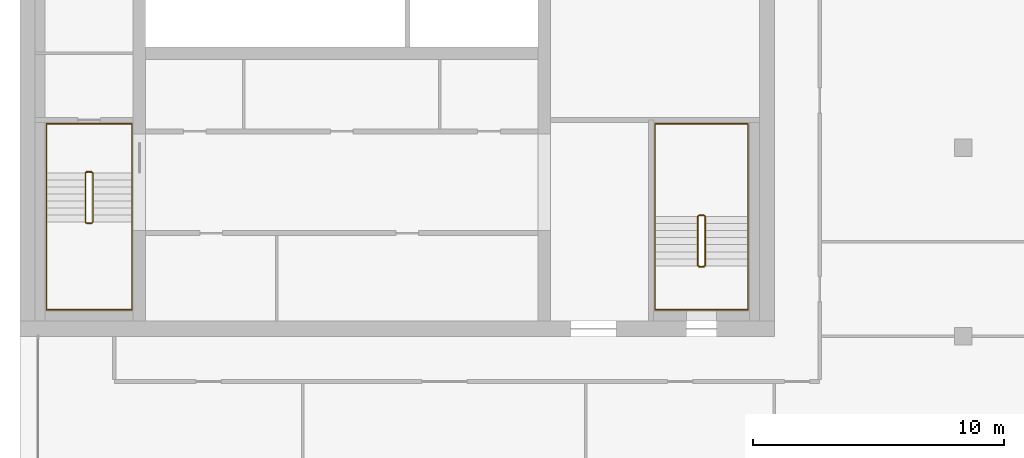
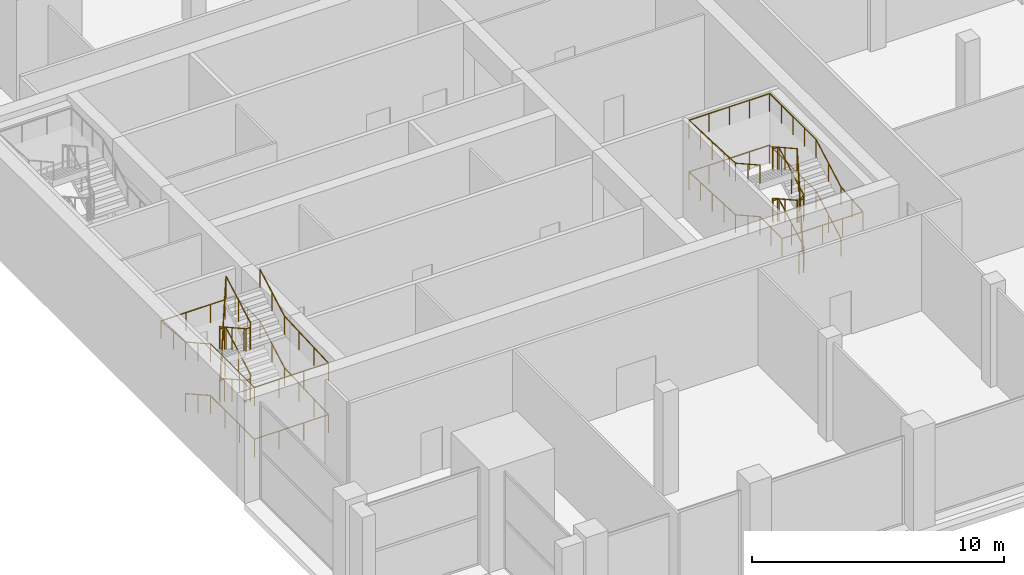
# One storey, part 14 of 15: 4 railings.
"""IFC4 building model written with IfcOpenShell, lengths in metres."""

from ifc_helpers import new_model, si_unit, direction, frame, origin, origin_2d, place, context, subcontext, project, spatial, circle, extrude, material, type_object, element, save


model = new_model("IFC4")

# Units and contexts
model_context = context("Model", 3, precision=1e-05, world=origin(), true_north=direction((0.0, 1.0)))
body_context = subcontext(model_context, "Body", "Model", "MODEL_VIEW")
ifc_project = project(units=[si_unit("LENGTHUNIT", "METRE"), si_unit("AREAUNIT", "SQUARE_METRE"), si_unit("VOLUMEUNIT", "CUBIC_METRE"), si_unit("PLANEANGLEUNIT", "RADIAN"), si_unit("MASSUNIT", "GRAM", prefix="KILO")], contexts=[model_context])

# Site, building, storey
site_placement = place(None, origin())
site = spatial("IfcSite", under=ifc_project, at=site_placement, CompositionType="ELEMENT")
building_placement = place(site_placement, origin())
building = spatial("IfcBuilding", under=site, at=building_placement, Name="Tamorin Gate", CompositionType="ELEMENT")
storey_placement = place(building_placement, frame((0.0, 0.0, 297.699951171875)))
storey = spatial("IfcBuildingStorey", under=building, at=storey_placement, Name="L74", CompositionType="ELEMENT", Elevation=297.699951171875)

# Railings
ifc_material_1 = material(Name="Painted steel balustrade", Category="steel")
railing_type_1 = type_object("IfcRailingType", Name="Stair guard 1100", PredefinedType="GUARDRAIL", material=ifc_material_1)
railing_1_placement = place(storey_placement, frame((32.60009765625, 66.5, 0.15625)))
element("IfcRailing", 1, at=railing_1_placement, inside=storey, type_object=railing_type_1, Name="L74 ST1 stair guard 1", PredefinedType="GUARDRAIL", context=body_context, shape_type="SweptSolid", body=[
    extrude(circle(Radius=0.02392578125, at=origin_2d()), frame((0.0, 0.0, 1.076171875), z_axis=(0.0, -0.873232148454, 0.487304437602), x_axis=(1.0, 0.0, 0.0)), (0.0, 0.0, 1.0), 2.244384765625),
    extrude(circle(Radius=0.02392578125, at=origin_2d()), frame((0.0, -1.9599609375, 2.169921875), z_axis=(0.705375805398, -0.708833529934, 0.0), x_axis=(0.708833529934, 0.705375805398, 0.0)), (0.0, 0.0, 1.0), 0.070556640625),
    extrude(circle(Radius=0.02392578125, at=origin_2d()), frame((0.0498046875, -2.010009765625, 2.169921875), z_axis=(1.0, 0.0, 0.0), x_axis=(0.0, 1.0, 0.0)), (0.0, 0.0, 1.0), 0.2001953125),
    extrude(circle(Radius=0.02392578125, at=origin_2d()), frame((0.25, -2.010009765625, 2.169921875), z_axis=(0.290469530425, 0.291893400672, 0.911276958196), x_axis=(-0.708833529934, 0.705375805398, 0.0)), (0.0, 0.0, 1.0), 0.17138671875),
    extrude(circle(Radius=0.02392578125, at=origin_2d()), frame((0.2998046875, -1.9599609375, 2.326171875), z_axis=(0.0, 0.873232148454, 0.487304437602), x_axis=(-1.0, 0.0, 0.0)), (0.0, 0.0, 1.0), 2.244384765625),
    extrude(circle(Radius=0.02392578125, at=origin_2d()), frame((0.2998046875, 0.0, 3.419921875), z_axis=(-0.98054382908, 0.196300278283, 0.0), x_axis=(-0.196300278283, -0.98054382908, 0.0)), (0.0, 0.0, 1.0), 0.2548828125),
    extrude(circle(Radius=0.02392578125, at=origin_2d()), frame((0.0498046875, 0.050048828125, 3.419921875), z_axis=(1.0, 0.0, 0.0), x_axis=(0.0, 1.0, 0.0)), (0.0, 0.0, 1.0), 0.2001953125),
    extrude(circle(Radius=0.02392578125, at=origin_2d()), frame((0.25, 0.050048828125, 3.419921875), z_axis=(-0.836036486302, -0.167370585637, 0.522522803939), x_axis=(0.196300278283, -0.98054382908, 0.0)), (0.0, 0.0, 1.0), 0.299072265625),
    extrude(circle(Radius=0.02392578125, at=origin_2d()), frame((0.0, 0.0, 3.576171875), z_axis=(0.0, -0.873232148454, 0.487304437602), x_axis=(1.0, 0.0, 0.0)), (0.0, 0.0, 1.0), 2.244384765625),
    extrude(circle(Radius=0.02392578125, at=origin_2d()), frame((0.0, -1.9599609375, 4.669921875), z_axis=(0.705375805398, -0.708833529934, 0.0), x_axis=(0.708833529934, 0.705375805398, 0.0)), (0.0, 0.0, 1.0), 0.070556640625),
    extrude(circle(Radius=0.02392578125, at=origin_2d()), frame((0.0498046875, -2.010009765625, 4.669921875), z_axis=(1.0, 0.0, 0.0), x_axis=(0.0, 1.0, 0.0)), (0.0, 0.0, 1.0), 0.2001953125),
    extrude(circle(Radius=0.02392578125, at=origin_2d()), frame((0.25, -2.010009765625, 4.669921875), z_axis=(0.290469530425, 0.291893400672, 0.911276958196), x_axis=(-0.708833529934, 0.705375805398, 0.0)), (0.0, 0.0, 1.0), 0.17138671875),
    extrude(circle(Radius=0.02392578125, at=origin_2d()), frame((0.2998046875, -1.9599609375, 4.826171875), z_axis=(0.0, 0.873232148454, 0.487304437602), x_axis=(-1.0, 0.0, 0.0)), (0.0, 0.0, 1.0), 2.244384765625),
    extrude(circle(Radius=0.02392578125, at=origin_2d()), frame((0.2998046875, 0.0, 5.919921875), z_axis=(-0.04993512161, 0.009996777275, -0.998702432196), x_axis=(-0.196300278283, -0.98054382908, 0.0)), (0.0, 0.0, 1.0), 5.006591796875),
    extrude(circle(Radius=0.02392578125, at=origin_2d()), frame((0.0498046875, 0.050048828125, 0.919921875), z_axis=(1.0, 0.0, 0.0), x_axis=(0.0, 1.0, 0.0)), (0.0, 0.0, 1.0), 0.2001953125),
    extrude(circle(Radius=0.02099609375, at=origin_2d()), origin(), (0.0, 0.0, 1.0), 1.052001953125),
    extrude(circle(Radius=0.02099609375, at=origin_2d()), frame((0.0, -0.97998046875, 0.546875)), (0.0, 0.0, 1.0), 1.052001953125),
    extrude(circle(Radius=0.02099609375, at=origin_2d()), frame((0.0, -1.9599609375, 1.09375)), (0.0, 0.0, 1.0), 1.052001953125),
    extrude(circle(Radius=0.02099609375, at=origin_2d()), frame((0.0498046875, -2.010009765625, 1.09375)), (0.0, 0.0, 1.0), 1.052001953125),
    extrude(circle(Radius=0.02099609375, at=origin_2d()), frame((0.25, -2.010009765625, 1.09375)), (0.0, 0.0, 1.0), 1.052001953125),
    extrude(circle(Radius=0.02099609375, at=origin_2d()), frame((0.2998046875, -1.9599609375, 1.25)), (0.0, 0.0, 1.0), 1.052001953125),
    extrude(circle(Radius=0.02099609375, at=origin_2d()), frame((0.2998046875, -0.97998046875, 1.796875)), (0.0, 0.0, 1.0), 1.052001953125),
    extrude(circle(Radius=0.02099609375, at=origin_2d()), frame((0.2998046875, 0.0, 2.34375)), (0.0, 0.0, 1.0), 1.052001953125),
    extrude(circle(Radius=0.02099609375, at=origin_2d()), frame((0.0498046875, 0.050048828125, 2.34375)), (0.0, 0.0, 1.0), 1.052001953125),
    extrude(circle(Radius=0.02099609375, at=origin_2d()), frame((0.25, 0.050048828125, 2.34375)), (0.0, 0.0, 1.0), 1.052001953125),
    extrude(circle(Radius=0.02099609375, at=origin_2d()), frame((0.0, 0.0, 2.5)), (0.0, 0.0, 1.0), 1.052001953125),
    extrude(circle(Radius=0.02099609375, at=origin_2d()), frame((0.0, -0.97998046875, 3.046875)), (0.0, 0.0, 1.0), 1.052001953125),
    extrude(circle(Radius=0.02099609375, at=origin_2d()), frame((0.0, -1.9599609375, 3.59375)), (0.0, 0.0, 1.0), 1.052001953125),
    extrude(circle(Radius=0.02099609375, at=origin_2d()), frame((0.0498046875, -2.010009765625, 3.59375)), (0.0, 0.0, 1.0), 1.052001953125),
    extrude(circle(Radius=0.02099609375, at=origin_2d()), frame((0.25, -2.010009765625, 3.59375)), (0.0, 0.0, 1.0), 1.052001953125),
    extrude(circle(Radius=0.02099609375, at=origin_2d()), frame((0.2998046875, -1.9599609375, 3.75)), (0.0, 0.0, 1.0), 1.052001953125),
    extrude(circle(Radius=0.02099609375, at=origin_2d()), frame((0.2998046875, -0.97998046875, 4.296875)), (0.0, 0.0, 1.0), 1.052001953125),
    extrude(circle(Radius=0.02099609375, at=origin_2d()), frame((0.2998046875, 0.0, 4.84375)), (0.0, 0.0, 1.0), 1.052001953125),
    extrude(circle(Radius=0.02099609375, at=origin_2d()), frame((0.249755859375, 0.010009765625, 3.84375)), (0.0, 0.0, 1.0), 1.052001953125),
    extrude(circle(Radius=0.02099609375, at=origin_2d()), frame((0.19970703125, 0.02001953125, 2.84375)), (0.0, 0.0, 1.0), 1.052001953125),
    extrude(circle(Radius=0.02099609375, at=origin_2d()), frame((0.14990234375, 0.030029296875, 1.84375)), (0.0, 0.0, 1.0), 1.052001953125),
    extrude(circle(Radius=0.02099609375, at=origin_2d()), frame((0.099853515625, 0.0400390625, 0.84375)), (0.0, 0.0, 1.0), 1.052001953125),
    extrude(circle(Radius=0.02099609375, at=origin_2d()), frame((0.0498046875, 0.050048828125, -0.15625)), (0.0, 0.0, 1.0), 1.052001953125),
    extrude(circle(Radius=0.02099609375, at=origin_2d()), frame((0.25, 0.050048828125, -0.15625)), (0.0, 0.0, 1.0), 1.052001953125),
])
railing_2_placement = place(storey_placement, frame((57.25, 62.800048828125, 0.15625)))
element("IfcRailing", 2, at=railing_2_placement, inside=storey, type_object=railing_type_1, Name="L74 ST3 stair guard 1", PredefinedType="GUARDRAIL", context=body_context, shape_type="SweptSolid", body=[
    extrude(circle(Radius=0.02392578125, at=origin_2d()), frame((0.0, 0.0, 1.076171875), z_axis=(0.0, 0.873232148454, 0.487304437602), x_axis=(-1.0, 0.0, 0.0)), (0.0, 0.0, 1.0), 2.244384765625),
    extrude(circle(Radius=0.02392578125, at=origin_2d()), frame((0.0, 1.9599609375, 2.169921875), z_axis=(-0.707106781187, 0.707106781187, 0.0), x_axis=(-0.707106781187, -0.707106781187, 0.0)), (0.0, 0.0, 1.0), 0.07080078125),
    extrude(circle(Radius=0.02392578125, at=origin_2d()), frame((-0.050048828125, 2.010009765625, 2.169921875), z_axis=(-1.0, 0.0, 0.0), x_axis=(0.0, -1.0, 0.0)), (0.0, 0.0, 1.0), 0.199951171875),
    extrude(circle(Radius=0.02392578125, at=origin_2d()), frame((-0.25, 2.010009765625, 2.169921875), z_axis=(-0.29177245553, -0.29177245553, 0.91089937336), x_axis=(0.707106781187, -0.707106781187, 0.0)), (0.0, 0.0, 1.0), 0.171630859375),
    extrude(circle(Radius=0.02392578125, at=origin_2d()), frame((-0.300048828125, 1.9599609375, 2.326171875), z_axis=(0.0, -0.873232148454, 0.487304437602), x_axis=(1.0, 0.0, 0.0)), (0.0, 0.0, 1.0), 2.244384765625),
    extrude(circle(Radius=0.02392578125, at=origin_2d()), frame((-0.300048828125, 0.0, 3.419921875), z_axis=(0.98054382908, -0.196300278283, 0.0), x_axis=(0.196300278283, 0.98054382908, 0.0)), (0.0, 0.0, 1.0), 0.2548828125),
    extrude(circle(Radius=0.02392578125, at=origin_2d()), frame((-0.050048828125, -0.050048828125, 3.419921875), z_axis=(-1.0, 0.0, 0.0), x_axis=(0.0, -1.0, 0.0)), (0.0, 0.0, 1.0), 0.199951171875),
    extrude(circle(Radius=0.02392578125, at=origin_2d()), frame((-0.25, -0.050048828125, 3.419921875), z_axis=(0.836036486302, 0.167370585637, 0.522522803939), x_axis=(-0.196300278283, 0.98054382908, 0.0)), (0.0, 0.0, 1.0), 0.299072265625),
    extrude(circle(Radius=0.02392578125, at=origin_2d()), frame((0.0, 0.0, 3.576171875), z_axis=(0.0, 0.873232148454, 0.487304437602), x_axis=(-1.0, 0.0, 0.0)), (0.0, 0.0, 1.0), 2.244384765625),
    extrude(circle(Radius=0.02392578125, at=origin_2d()), frame((0.0, 1.9599609375, 4.669921875), z_axis=(-0.707106781187, 0.707106781187, 0.0), x_axis=(-0.707106781187, -0.707106781187, 0.0)), (0.0, 0.0, 1.0), 0.07080078125),
    extrude(circle(Radius=0.02392578125, at=origin_2d()), frame((-0.050048828125, 2.010009765625, 4.669921875), z_axis=(-1.0, 0.0, 0.0), x_axis=(0.0, -1.0, 0.0)), (0.0, 0.0, 1.0), 0.199951171875),
    extrude(circle(Radius=0.02392578125, at=origin_2d()), frame((-0.25, 2.010009765625, 4.669921875), z_axis=(-0.29177245553, -0.29177245553, 0.91089937336), x_axis=(0.707106781187, -0.707106781187, 0.0)), (0.0, 0.0, 1.0), 0.171630859375),
    extrude(circle(Radius=0.02392578125, at=origin_2d()), frame((-0.300048828125, 1.9599609375, 4.826171875), z_axis=(0.0, -0.873232148454, 0.487304437602), x_axis=(1.0, 0.0, 0.0)), (0.0, 0.0, 1.0), 2.244384765625),
    extrude(circle(Radius=0.02392578125, at=origin_2d()), frame((-0.300048828125, 0.0, 5.919921875), z_axis=(0.04993512161, -0.009996777275, -0.998702432196), x_axis=(0.196300278283, 0.98054382908, 0.0)), (0.0, 0.0, 1.0), 5.006591796875),
    extrude(circle(Radius=0.02392578125, at=origin_2d()), frame((-0.050048828125, -0.050048828125, 0.919921875), z_axis=(-1.0, 0.0, 0.0), x_axis=(0.0, -1.0, 0.0)), (0.0, 0.0, 1.0), 0.199951171875),
    extrude(circle(Radius=0.02099609375, at=origin_2d()), origin(), (0.0, 0.0, 1.0), 1.052001953125),
    extrude(circle(Radius=0.02099609375, at=origin_2d()), frame((0.0, 0.97998046875, 0.546875)), (0.0, 0.0, 1.0), 1.052001953125),
    extrude(circle(Radius=0.02099609375, at=origin_2d()), frame((0.0, 1.9599609375, 1.09375)), (0.0, 0.0, 1.0), 1.052001953125),
    extrude(circle(Radius=0.02099609375, at=origin_2d()), frame((-0.050048828125, 2.010009765625, 1.09375)), (0.0, 0.0, 1.0), 1.052001953125),
    extrude(circle(Radius=0.02099609375, at=origin_2d()), frame((-0.25, 2.010009765625, 1.09375)), (0.0, 0.0, 1.0), 1.052001953125),
    extrude(circle(Radius=0.02099609375, at=origin_2d()), frame((-0.300048828125, 1.9599609375, 1.25)), (0.0, 0.0, 1.0), 1.052001953125),
    extrude(circle(Radius=0.02099609375, at=origin_2d()), frame((-0.300048828125, 0.97998046875, 1.796875)), (0.0, 0.0, 1.0), 1.052001953125),
    extrude(circle(Radius=0.02099609375, at=origin_2d()), frame((-0.300048828125, 0.0, 2.34375)), (0.0, 0.0, 1.0), 1.052001953125),
    extrude(circle(Radius=0.02099609375, at=origin_2d()), frame((-0.050048828125, -0.050048828125, 2.34375)), (0.0, 0.0, 1.0), 1.052001953125),
    extrude(circle(Radius=0.02099609375, at=origin_2d()), frame((-0.25, -0.050048828125, 2.34375)), (0.0, 0.0, 1.0), 1.052001953125),
    extrude(circle(Radius=0.02099609375, at=origin_2d()), frame((0.0, 0.0, 2.5)), (0.0, 0.0, 1.0), 1.052001953125),
    extrude(circle(Radius=0.02099609375, at=origin_2d()), frame((0.0, 0.97998046875, 3.046875)), (0.0, 0.0, 1.0), 1.052001953125),
    extrude(circle(Radius=0.02099609375, at=origin_2d()), frame((0.0, 1.9599609375, 3.59375)), (0.0, 0.0, 1.0), 1.052001953125),
    extrude(circle(Radius=0.02099609375, at=origin_2d()), frame((-0.050048828125, 2.010009765625, 3.59375)), (0.0, 0.0, 1.0), 1.052001953125),
    extrude(circle(Radius=0.02099609375, at=origin_2d()), frame((-0.25, 2.010009765625, 3.59375)), (0.0, 0.0, 1.0), 1.052001953125),
    extrude(circle(Radius=0.02099609375, at=origin_2d()), frame((-0.300048828125, 1.9599609375, 3.75)), (0.0, 0.0, 1.0), 1.052001953125),
    extrude(circle(Radius=0.02099609375, at=origin_2d()), frame((-0.300048828125, 0.97998046875, 4.296875)), (0.0, 0.0, 1.0), 1.052001953125),
    extrude(circle(Radius=0.02099609375, at=origin_2d()), frame((-0.300048828125, 0.0, 4.84375)), (0.0, 0.0, 1.0), 1.052001953125),
    extrude(circle(Radius=0.02099609375, at=origin_2d()), frame((-0.25, -0.010009765625, 3.84375)), (0.0, 0.0, 1.0), 1.052001953125),
    extrude(circle(Radius=0.02099609375, at=origin_2d()), frame((-0.199951171875, -0.02001953125, 2.84375)), (0.0, 0.0, 1.0), 1.052001953125),
    extrude(circle(Radius=0.02099609375, at=origin_2d()), frame((-0.150146484375, -0.030029296875, 1.84375)), (0.0, 0.0, 1.0), 1.052001953125),
    extrude(circle(Radius=0.02099609375, at=origin_2d()), frame((-0.10009765625, -0.0400390625, 0.84375)), (0.0, 0.0, 1.0), 1.052001953125),
    extrude(circle(Radius=0.02099609375, at=origin_2d()), frame((-0.050048828125, -0.050048828125, -0.15625)), (0.0, 0.0, 1.0), 1.052001953125),
    extrude(circle(Radius=0.02099609375, at=origin_2d()), frame((-0.25, -0.050048828125, -0.15625)), (0.0, 0.0, 1.0), 1.052001953125),
])
ifc_material_2 = material(Name="Painted steel handrail", Category="steel")
railing_type_2 = type_object("IfcRailingType", Name="Stair handrail 900", PredefinedType="HANDRAIL", material=ifc_material_2)
railing_3_placement = place(storey_placement, frame((31.050048828125, 66.5, 0.15625)))
element("IfcRailing", 3, at=railing_3_placement, inside=storey, type_object=railing_type_2, Name="L74 ST1 stair handrail 1", PredefinedType="HANDRAIL", context=body_context, shape_type="SweptSolid", body=[
    extrude(circle(Radius=0.02392578125, at=origin_2d()), frame((0.0, 0.0, 0.8759765625), z_axis=(0.0, -0.873232148454, 0.487304437602), x_axis=(1.0, 0.0, 0.0)), (0.0, 0.0, 1.0), 2.244384765625),
    extrude(circle(Radius=0.02392578125, at=origin_2d()), frame((0.0, -1.9599609375, 1.9697265625), z_axis=(0.0, -1.0, 0.0), x_axis=(1.0, 0.0, 0.0)), (0.0, 0.0, 1.0), 3.489990234375),
    extrude(circle(Radius=0.02392578125, at=origin_2d()), frame((0.0, -5.449951171875, 1.9697265625), z_axis=(1.0, 0.0, 0.0), x_axis=(0.0, 1.0, 0.0)), (0.0, 0.0, 1.0), 3.39990234375),
    extrude(circle(Radius=0.02392578125, at=origin_2d()), frame((3.39990234375, -5.449951171875, 1.9697265625), z_axis=(0.0, 0.99899928745, 0.044726096115), x_axis=(-1.0, 0.0, 0.0)), (0.0, 0.0, 1.0), 3.493408203125),
    extrude(circle(Radius=0.02392578125, at=origin_2d()), frame((3.39990234375, -1.9599609375, 2.1259765625), z_axis=(0.0, 0.873232148454, 0.487304437602), x_axis=(-1.0, 0.0, 0.0)), (0.0, 0.0, 1.0), 2.244384765625),
    extrude(circle(Radius=0.02392578125, at=origin_2d()), frame((3.39990234375, 0.0, 3.2197265625), z_axis=(0.0, 1.0, 0.0), x_axis=(-1.0, 0.0, 0.0)), (0.0, 0.0, 1.0), 1.949951171875),
    extrude(circle(Radius=0.02392578125, at=origin_2d()), frame((3.39990234375, 1.949951171875, 3.2197265625), z_axis=(-1.0, 0.0, 0.0), x_axis=(0.0, -1.0, 0.0)), (0.0, 0.0, 1.0), 3.39990234375),
    extrude(circle(Radius=0.02392578125, at=origin_2d()), frame((0.0, 1.949951171875, 3.2197265625), z_axis=(0.0, -0.996804952581, 0.079874191768), x_axis=(1.0, 0.0, 0.0)), (0.0, 0.0, 1.0), 1.956298828125),
    extrude(circle(Radius=0.02392578125, at=origin_2d()), frame((0.0, 0.0, 3.3759765625), z_axis=(0.0, -0.873232148454, 0.487304437602), x_axis=(1.0, 0.0, 0.0)), (0.0, 0.0, 1.0), 2.244384765625),
    extrude(circle(Radius=0.02392578125, at=origin_2d()), frame((0.0, -1.9599609375, 4.4697265625), z_axis=(0.0, -1.0, 0.0), x_axis=(1.0, 0.0, 0.0)), (0.0, 0.0, 1.0), 3.489990234375),
    extrude(circle(Radius=0.02392578125, at=origin_2d()), frame((0.0, -5.449951171875, 4.4697265625), z_axis=(1.0, 0.0, 0.0), x_axis=(0.0, 1.0, 0.0)), (0.0, 0.0, 1.0), 3.39990234375),
    extrude(circle(Radius=0.02392578125, at=origin_2d()), frame((3.39990234375, -5.449951171875, 4.4697265625), z_axis=(0.0, 0.99899928745, 0.044726096115), x_axis=(-1.0, 0.0, 0.0)), (0.0, 0.0, 1.0), 3.493408203125),
    extrude(circle(Radius=0.02392578125, at=origin_2d()), frame((3.39990234375, -1.9599609375, 4.6259765625), z_axis=(0.0, 0.873232148454, 0.487304437602), x_axis=(-1.0, 0.0, 0.0)), (0.0, 0.0, 1.0), 2.244384765625),
    extrude(circle(Radius=0.02099609375, at=origin_2d()), origin(), (0.0, 0.0, 1.0), 0.851806640625),
    extrude(circle(Radius=0.02099609375, at=origin_2d()), frame((0.0, -0.97998046875, 0.546875)), (0.0, 0.0, 1.0), 0.851806640625),
    extrude(circle(Radius=0.02099609375, at=origin_2d()), frame((0.0, -1.9599609375, 1.09375)), (0.0, 0.0, 1.0), 0.851806640625),
    extrude(circle(Radius=0.02099609375, at=origin_2d()), frame((0.0, -3.123291015625, 1.09375)), (0.0, 0.0, 1.0), 0.851806640625),
    extrude(circle(Radius=0.02099609375, at=origin_2d()), frame((0.0, -4.28662109375, 1.09375)), (0.0, 0.0, 1.0), 0.851806640625),
    extrude(circle(Radius=0.02099609375, at=origin_2d()), frame((0.0, -5.449951171875, 1.09375)), (0.0, 0.0, 1.0), 0.851806640625),
    extrude(circle(Radius=0.02099609375, at=origin_2d()), frame((1.13330078125, -5.449951171875, 1.09375)), (0.0, 0.0, 1.0), 0.851806640625),
    extrude(circle(Radius=0.02099609375, at=origin_2d()), frame((2.2666015625, -5.449951171875, 1.09375)), (0.0, 0.0, 1.0), 0.851806640625),
    extrude(circle(Radius=0.02099609375, at=origin_2d()), frame((3.39990234375, -5.449951171875, 1.09375)), (0.0, 0.0, 1.0), 0.851806640625),
    extrude(circle(Radius=0.02099609375, at=origin_2d()), frame((3.39990234375, -4.28662109375, 1.145751953125)), (0.0, 0.0, 1.0), 0.851806640625),
    extrude(circle(Radius=0.02099609375, at=origin_2d()), frame((3.39990234375, -3.123291015625, 1.197998046875)), (0.0, 0.0, 1.0), 0.851806640625),
    extrude(circle(Radius=0.02099609375, at=origin_2d()), frame((3.39990234375, -1.9599609375, 1.25)), (0.0, 0.0, 1.0), 0.851806640625),
    extrude(circle(Radius=0.02099609375, at=origin_2d()), frame((3.39990234375, -0.97998046875, 1.796875)), (0.0, 0.0, 1.0), 0.851806640625),
    extrude(circle(Radius=0.02099609375, at=origin_2d()), frame((3.39990234375, 0.0, 2.34375)), (0.0, 0.0, 1.0), 0.851806640625),
    extrude(circle(Radius=0.02099609375, at=origin_2d()), frame((3.39990234375, 0.97509765625, 2.34375)), (0.0, 0.0, 1.0), 0.851806640625),
    extrude(circle(Radius=0.02099609375, at=origin_2d()), frame((3.39990234375, 1.949951171875, 2.34375)), (0.0, 0.0, 1.0), 0.851806640625),
    extrude(circle(Radius=0.02099609375, at=origin_2d()), frame((2.2666015625, 1.949951171875, 2.34375)), (0.0, 0.0, 1.0), 0.851806640625),
    extrude(circle(Radius=0.02099609375, at=origin_2d()), frame((1.13330078125, 1.949951171875, 2.34375)), (0.0, 0.0, 1.0), 0.851806640625),
    extrude(circle(Radius=0.02099609375, at=origin_2d()), frame((0.0, 1.949951171875, 2.34375)), (0.0, 0.0, 1.0), 0.851806640625),
    extrude(circle(Radius=0.02099609375, at=origin_2d()), frame((0.0, 0.97509765625, 2.421875)), (0.0, 0.0, 1.0), 0.851806640625),
    extrude(circle(Radius=0.02099609375, at=origin_2d()), frame((0.0, 0.0, 2.5)), (0.0, 0.0, 1.0), 0.851806640625),
    extrude(circle(Radius=0.02099609375, at=origin_2d()), frame((0.0, -0.97998046875, 3.046875)), (0.0, 0.0, 1.0), 0.851806640625),
    extrude(circle(Radius=0.02099609375, at=origin_2d()), frame((0.0, -1.9599609375, 3.59375)), (0.0, 0.0, 1.0), 0.851806640625),
    extrude(circle(Radius=0.02099609375, at=origin_2d()), frame((0.0, -3.123291015625, 3.59375)), (0.0, 0.0, 1.0), 0.851806640625),
    extrude(circle(Radius=0.02099609375, at=origin_2d()), frame((0.0, -4.28662109375, 3.59375)), (0.0, 0.0, 1.0), 0.851806640625),
    extrude(circle(Radius=0.02099609375, at=origin_2d()), frame((0.0, -5.449951171875, 3.59375)), (0.0, 0.0, 1.0), 0.851806640625),
    extrude(circle(Radius=0.02099609375, at=origin_2d()), frame((1.13330078125, -5.449951171875, 3.59375)), (0.0, 0.0, 1.0), 0.851806640625),
    extrude(circle(Radius=0.02099609375, at=origin_2d()), frame((2.2666015625, -5.449951171875, 3.59375)), (0.0, 0.0, 1.0), 0.851806640625),
    extrude(circle(Radius=0.02099609375, at=origin_2d()), frame((3.39990234375, -5.449951171875, 3.59375)), (0.0, 0.0, 1.0), 0.851806640625),
    extrude(circle(Radius=0.02099609375, at=origin_2d()), frame((3.39990234375, -4.28662109375, 3.645751953125)), (0.0, 0.0, 1.0), 0.851806640625),
    extrude(circle(Radius=0.02099609375, at=origin_2d()), frame((3.39990234375, -3.123291015625, 3.697998046875)), (0.0, 0.0, 1.0), 0.851806640625),
    extrude(circle(Radius=0.02099609375, at=origin_2d()), frame((3.39990234375, -1.9599609375, 3.75)), (0.0, 0.0, 1.0), 0.851806640625),
    extrude(circle(Radius=0.02099609375, at=origin_2d()), frame((3.39990234375, -0.97998046875, 4.296875)), (0.0, 0.0, 1.0), 0.851806640625),
    extrude(circle(Radius=0.02099609375, at=origin_2d()), frame((3.39990234375, 0.0, 4.84375)), (0.0, 0.0, 1.0), 0.851806640625),
])
railing_4_placement = place(storey_placement, frame((58.949951171875, 62.800048828125, 0.15625)))
element("IfcRailing", 4, at=railing_4_placement, inside=storey, type_object=railing_type_2, Name="L74 ST3 stair handrail 1", PredefinedType="HANDRAIL", context=body_context, shape_type="SweptSolid", body=[
    extrude(circle(Radius=0.02392578125, at=origin_2d()), frame((0.0, 0.0, 0.8759765625), z_axis=(0.0, 0.873232148454, 0.487304437602), x_axis=(-1.0, 0.0, 0.0)), (0.0, 0.0, 1.0), 2.244384765625),
    extrude(circle(Radius=0.02392578125, at=origin_2d()), frame((0.0, 1.9599609375, 1.9697265625), z_axis=(0.0, 1.0, 0.0), x_axis=(-1.0, 0.0, 0.0)), (0.0, 0.0, 1.0), 3.68994140625),
    extrude(circle(Radius=0.02392578125, at=origin_2d()), frame((0.0, 5.64990234375, 1.9697265625), z_axis=(-1.0, 0.0, 0.0), x_axis=(0.0, -1.0, 0.0)), (0.0, 0.0, 1.0), 3.699951171875),
    extrude(circle(Radius=0.02392578125, at=origin_2d()), frame((-3.699951171875, 5.64990234375, 1.9697265625), z_axis=(0.0, -0.999104660901, 0.042306932842), x_axis=(1.0, 0.0, 0.0)), (0.0, 0.0, 1.0), 3.693359375),
    extrude(circle(Radius=0.02392578125, at=origin_2d()), frame((-3.699951171875, 1.9599609375, 2.1259765625), z_axis=(0.0, -0.873232148454, 0.487304437602), x_axis=(1.0, 0.0, 0.0)), (0.0, 0.0, 1.0), 2.244384765625),
    extrude(circle(Radius=0.02392578125, at=origin_2d()), frame((-3.699951171875, 0.0, 3.2197265625), z_axis=(0.0, -1.0, 0.0), x_axis=(1.0, 0.0, 0.0)), (0.0, 0.0, 1.0), 1.75),
    extrude(circle(Radius=0.02392578125, at=origin_2d()), frame((-3.699951171875, -1.75, 3.2197265625), z_axis=(1.0, 0.0, 0.0), x_axis=(0.0, 1.0, 0.0)), (0.0, 0.0, 1.0), 3.699951171875),
    extrude(circle(Radius=0.02392578125, at=origin_2d()), frame((0.0, -1.75, 3.2197265625), z_axis=(0.0, 0.996037705314, 0.088931937975), x_axis=(-1.0, 0.0, 0.0)), (0.0, 0.0, 1.0), 1.757080078125),
    extrude(circle(Radius=0.02392578125, at=origin_2d()), frame((0.0, 0.0, 3.3759765625), z_axis=(0.0, 0.873232148454, 0.487304437602), x_axis=(-1.0, 0.0, 0.0)), (0.0, 0.0, 1.0), 2.244384765625),
    extrude(circle(Radius=0.02392578125, at=origin_2d()), frame((0.0, 1.9599609375, 4.4697265625), z_axis=(0.0, 1.0, 0.0), x_axis=(-1.0, 0.0, 0.0)), (0.0, 0.0, 1.0), 3.68994140625),
    extrude(circle(Radius=0.02392578125, at=origin_2d()), frame((0.0, 5.64990234375, 4.4697265625), z_axis=(-1.0, 0.0, 0.0), x_axis=(0.0, -1.0, 0.0)), (0.0, 0.0, 1.0), 3.699951171875),
    extrude(circle(Radius=0.02392578125, at=origin_2d()), frame((-3.699951171875, 5.64990234375, 4.4697265625), z_axis=(0.0, -0.999104660901, 0.042306932842), x_axis=(1.0, 0.0, 0.0)), (0.0, 0.0, 1.0), 3.693359375),
    extrude(circle(Radius=0.02392578125, at=origin_2d()), frame((-3.699951171875, 1.9599609375, 4.6259765625), z_axis=(0.0, -0.873232148454, 0.487304437602), x_axis=(1.0, 0.0, 0.0)), (0.0, 0.0, 1.0), 2.244384765625),
    extrude(circle(Radius=0.02099609375, at=origin_2d()), origin(), (0.0, 0.0, 1.0), 0.851806640625),
    extrude(circle(Radius=0.02099609375, at=origin_2d()), frame((0.0, 0.97998046875, 0.546875)), (0.0, 0.0, 1.0), 0.851806640625),
    extrude(circle(Radius=0.02099609375, at=origin_2d()), frame((0.0, 1.9599609375, 1.09375)), (0.0, 0.0, 1.0), 0.851806640625),
    extrude(circle(Radius=0.02099609375, at=origin_2d()), frame((0.0, 2.88232421875, 1.09375)), (0.0, 0.0, 1.0), 0.851806640625),
    extrude(circle(Radius=0.02099609375, at=origin_2d()), frame((0.0, 3.804931640625, 1.09375)), (0.0, 0.0, 1.0), 0.851806640625),
    extrude(circle(Radius=0.02099609375, at=origin_2d()), frame((0.0, 4.7275390625, 1.09375)), (0.0, 0.0, 1.0), 0.851806640625),
    extrude(circle(Radius=0.02099609375, at=origin_2d()), frame((0.0, 5.64990234375, 1.09375)), (0.0, 0.0, 1.0), 0.851806640625),
    extrude(circle(Radius=0.02099609375, at=origin_2d()), frame((-0.925048828125, 5.64990234375, 1.09375)), (0.0, 0.0, 1.0), 0.851806640625),
    extrude(circle(Radius=0.02099609375, at=origin_2d()), frame((-1.85009765625, 5.64990234375, 1.09375)), (0.0, 0.0, 1.0), 0.851806640625),
    extrude(circle(Radius=0.02099609375, at=origin_2d()), frame((-2.77490234375, 5.64990234375, 1.09375)), (0.0, 0.0, 1.0), 0.851806640625),
    extrude(circle(Radius=0.02099609375, at=origin_2d()), frame((-3.699951171875, 5.64990234375, 1.09375)), (0.0, 0.0, 1.0), 0.851806640625),
    extrude(circle(Radius=0.02099609375, at=origin_2d()), frame((-3.699951171875, 4.7275390625, 1.1328125)), (0.0, 0.0, 1.0), 0.851806640625),
    extrude(circle(Radius=0.02099609375, at=origin_2d()), frame((-3.699951171875, 3.804931640625, 1.171875)), (0.0, 0.0, 1.0), 0.851806640625),
    extrude(circle(Radius=0.02099609375, at=origin_2d()), frame((-3.699951171875, 2.88232421875, 1.2109375)), (0.0, 0.0, 1.0), 0.851806640625),
    extrude(circle(Radius=0.02099609375, at=origin_2d()), frame((-3.699951171875, 1.9599609375, 1.25)), (0.0, 0.0, 1.0), 0.851806640625),
    extrude(circle(Radius=0.02099609375, at=origin_2d()), frame((-3.699951171875, 0.97998046875, 1.796875)), (0.0, 0.0, 1.0), 0.851806640625),
    extrude(circle(Radius=0.02099609375, at=origin_2d()), frame((-3.699951171875, 0.0, 2.34375)), (0.0, 0.0, 1.0), 0.851806640625),
    extrude(circle(Radius=0.02099609375, at=origin_2d()), frame((-3.699951171875, -0.875, 2.34375)), (0.0, 0.0, 1.0), 0.851806640625),
    extrude(circle(Radius=0.02099609375, at=origin_2d()), frame((-3.699951171875, -1.75, 2.34375)), (0.0, 0.0, 1.0), 0.851806640625),
    extrude(circle(Radius=0.02099609375, at=origin_2d()), frame((-2.77490234375, -1.75, 2.34375)), (0.0, 0.0, 1.0), 0.851806640625),
    extrude(circle(Radius=0.02099609375, at=origin_2d()), frame((-1.85009765625, -1.75, 2.34375)), (0.0, 0.0, 1.0), 0.851806640625),
    extrude(circle(Radius=0.02099609375, at=origin_2d()), frame((-0.925048828125, -1.75, 2.34375)), (0.0, 0.0, 1.0), 0.851806640625),
    extrude(circle(Radius=0.02099609375, at=origin_2d()), frame((0.0, -1.75, 2.34375)), (0.0, 0.0, 1.0), 0.851806640625),
    extrude(circle(Radius=0.02099609375, at=origin_2d()), frame((0.0, -0.875, 2.421875)), (0.0, 0.0, 1.0), 0.851806640625),
    extrude(circle(Radius=0.02099609375, at=origin_2d()), frame((0.0, 0.0, 2.5)), (0.0, 0.0, 1.0), 0.851806640625),
    extrude(circle(Radius=0.02099609375, at=origin_2d()), frame((0.0, 0.97998046875, 3.046875)), (0.0, 0.0, 1.0), 0.851806640625),
    extrude(circle(Radius=0.02099609375, at=origin_2d()), frame((0.0, 1.9599609375, 3.59375)), (0.0, 0.0, 1.0), 0.851806640625),
    extrude(circle(Radius=0.02099609375, at=origin_2d()), frame((0.0, 2.88232421875, 3.59375)), (0.0, 0.0, 1.0), 0.851806640625),
    extrude(circle(Radius=0.02099609375, at=origin_2d()), frame((0.0, 3.804931640625, 3.59375)), (0.0, 0.0, 1.0), 0.851806640625),
    extrude(circle(Radius=0.02099609375, at=origin_2d()), frame((0.0, 4.7275390625, 3.59375)), (0.0, 0.0, 1.0), 0.851806640625),
    extrude(circle(Radius=0.02099609375, at=origin_2d()), frame((0.0, 5.64990234375, 3.59375)), (0.0, 0.0, 1.0), 0.851806640625),
    extrude(circle(Radius=0.02099609375, at=origin_2d()), frame((-0.925048828125, 5.64990234375, 3.59375)), (0.0, 0.0, 1.0), 0.851806640625),
    extrude(circle(Radius=0.02099609375, at=origin_2d()), frame((-1.85009765625, 5.64990234375, 3.59375)), (0.0, 0.0, 1.0), 0.851806640625),
    extrude(circle(Radius=0.02099609375, at=origin_2d()), frame((-2.77490234375, 5.64990234375, 3.59375)), (0.0, 0.0, 1.0), 0.851806640625),
    extrude(circle(Radius=0.02099609375, at=origin_2d()), frame((-3.699951171875, 5.64990234375, 3.59375)), (0.0, 0.0, 1.0), 0.851806640625),
    extrude(circle(Radius=0.02099609375, at=origin_2d()), frame((-3.699951171875, 4.7275390625, 3.6328125)), (0.0, 0.0, 1.0), 0.851806640625),
    extrude(circle(Radius=0.02099609375, at=origin_2d()), frame((-3.699951171875, 3.804931640625, 3.671875)), (0.0, 0.0, 1.0), 0.851806640625),
    extrude(circle(Radius=0.02099609375, at=origin_2d()), frame((-3.699951171875, 2.88232421875, 3.7109375)), (0.0, 0.0, 1.0), 0.851806640625),
    extrude(circle(Radius=0.02099609375, at=origin_2d()), frame((-3.699951171875, 1.9599609375, 3.75)), (0.0, 0.0, 1.0), 0.851806640625),
    extrude(circle(Radius=0.02099609375, at=origin_2d()), frame((-3.699951171875, 0.97998046875, 4.296875)), (0.0, 0.0, 1.0), 0.851806640625),
    extrude(circle(Radius=0.02099609375, at=origin_2d()), frame((-3.699951171875, 0.0, 4.84375)), (0.0, 0.0, 1.0), 0.851806640625),
])

save(model, "model.ifc")
